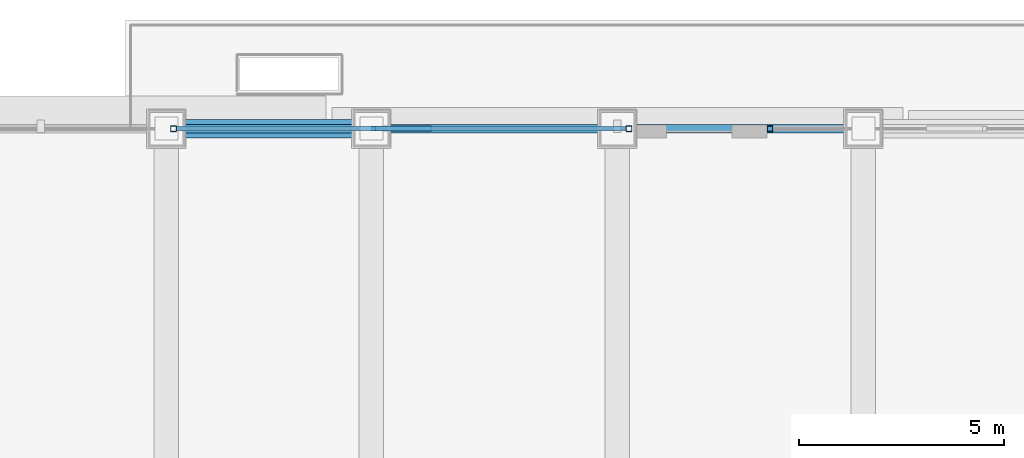
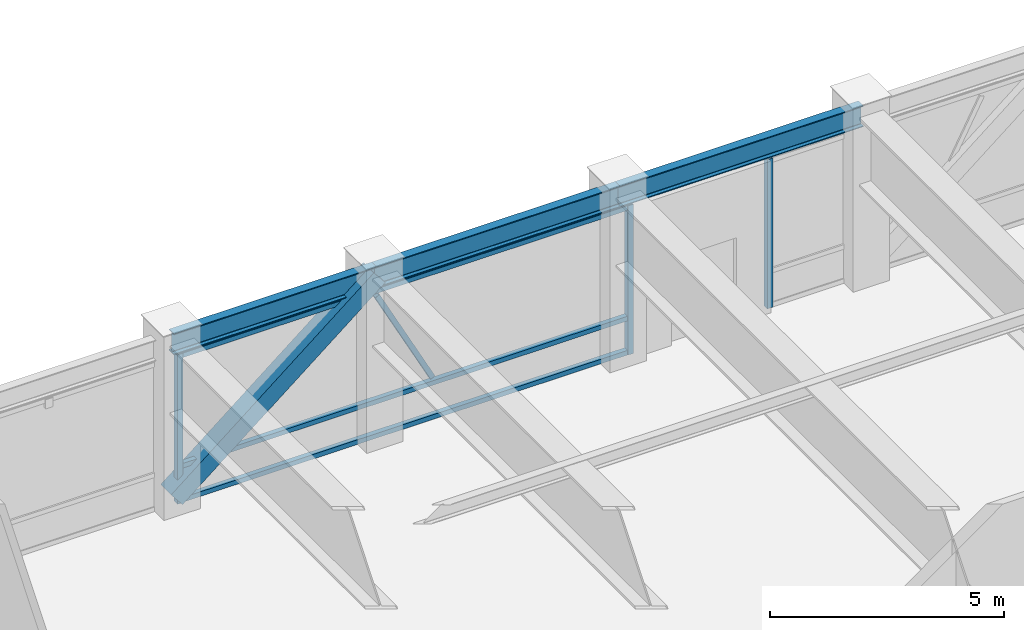
# One storey, part 17 of 31: 8 members, 3 beams, 2 elements without a shape of their own.
"""IFC4 building model written with IfcOpenShell, lengths in metres."""

from ifc_helpers import new_model, si_unit, direction, frame, origin, origin_2d, place, context, subcontext, project, spatial, hollow_rectangle, i_section, extrude, source, transform, mapped, material, material_profile, profile_set, type_object, element, aggregate, save


model = new_model("IFC4")

# Units and contexts
model_context = context("Model", 3, precision=1e-05, world=origin(), true_north=direction((0.0, 1.0)))
body_context = subcontext(model_context, "Body", "Model", "MODEL_VIEW")
ifc_project = project(units=[si_unit("LENGTHUNIT", "METRE"), si_unit("AREAUNIT", "SQUARE_METRE"), si_unit("VOLUMEUNIT", "CUBIC_METRE"), si_unit("PLANEANGLEUNIT", "RADIAN"), si_unit("MASSUNIT", "GRAM", prefix="KILO")], contexts=[model_context])

# Site, building, storey
site_placement = place(None, origin())
site = spatial("IfcSite", under=ifc_project, at=site_placement, CompositionType="ELEMENT")
building_placement = place(site_placement, origin())
building = spatial("IfcBuilding", under=site, at=building_placement, Name="Khorayat Bourse Tower", CompositionType="ELEMENT")
storey_placement = place(building_placement, frame((0.0, 0.0, 321.5)))
storey = spatial("IfcBuildingStorey", under=building, at=storey_placement, Name="L76", CompositionType="ELEMENT", Elevation=321.5)

# Beams
ifc_material_1 = material(Name="Steel ASTM A992 Grade 50", Category="steel")
ifc_material_profile_1 = material_profile(ifc_material_1, i_section(OverallWidth=0.214111328125, OverallDepth=0.549072265625, WebThickness=0.0146484375, FlangeThickness=0.023681640625, FilletRadius=0.013916015625, at=origin_2d()), Name="W530X138")
ifc_profile_set_1 = profile_set([ifc_material_profile_1], Name="Steel ASTM A992 Grade 50")
beam_type = type_object("IfcBeamType", Name="BM-SPAN-530", PredefinedType="SPANDREL", material=ifc_profile_set_1)
shared_shape_1 = source(origin(), body_context, "Body", "SweptSolid", [
    extrude(i_section(OverallWidth=0.214111328125, OverallDepth=0.549072265625, WebThickness=0.0146484375, FlangeThickness=0.023681640625, FilletRadius=0.013916015625, at=origin_2d()), origin(), (0.0, 0.0, 1.0), 5.0),
])
beam_placement = place(storey_placement, frame((-11.0, 28.0, 4.2255859375), z_axis=(1.0, 0.0, 0.0), x_axis=(0.0, 1.0, 0.0)))
element("IfcBeam", 1, at=beam_placement, inside=storey, type_object=beam_type, Name="L76 BM-SPAN-530 BM-L76-SPN-049", PredefinedType="SPANDREL", context=body_context, shape_type="MappedRepresentation", body=[
    mapped(shared_shape_1, transform((0.0, 0.0, 0.0), scale=1.0)),
])
shared_shape_2 = source(origin(), body_context, "Body", "SweptSolid", [
    extrude(i_section(OverallWidth=0.214111328125, OverallDepth=0.549072265625, WebThickness=0.0146484375, FlangeThickness=0.023681640625, FilletRadius=0.013916015625, at=origin_2d()), origin(), (0.0, 0.0, 1.0), 6.0),
])
for number, where, z_axis, x_axis, name in (
    (2, (0.0, 28.0, 4.2255859375), (1.0, 0.0, 0.0), (0.0, 1.0, 0.0), "L76 BM-SPAN-530 BM-L76-SPN-047"),
    (3, (-6.0, 28.0, 4.2255859375), (1.0, 0.0, 0.0), (0.0, 1.0, 0.0), "L76 BM-SPAN-530 BM-L76-SPN-048"),
):
    element("IfcBeam", number, at=place(storey_placement, frame(where, z_axis=z_axis, x_axis=x_axis)), inside=storey, type_object=beam_type, Name=name, PredefinedType="SPANDREL", context=body_context, shape_type="MappedRepresentation", body=[
        mapped(shared_shape_2, transform((0.0, 0.0, 0.0), scale=1.0)),
    ])

# Member
ifc_material_2 = material(Name="Steel EN 10025-4 S460M", Category="steel")
ifc_material_profile_2 = material_profile(ifc_material_2, hollow_rectangle(XDim=0.449951171875, YDim=0.449951171875, WallThickness=0.02490234375, at=origin_2d()), Name="HSS 450x450x25")
ifc_profile_set_2 = profile_set([ifc_material_profile_2], Name="Steel EN 10025-4 S460M")
member_type_1 = type_object("IfcMemberType", Name="MBR-TUBE-450", PredefinedType="BRACE", material=ifc_profile_set_2)
shared_shape_3 = source(origin(), body_context, "Body", "SweptSolid", [
    extrude(hollow_rectangle(XDim=0.449951171875, YDim=0.449951171875, WallThickness=0.02490234375, at=origin_2d()), origin(), (0.0, 0.0, 1.0), 6.42822265625),
])
member_1_placement = place(storey_placement, frame((-11.0, 28.0, 0.25), z_axis=(0.777821209127, 0.0, 0.628485613703), x_axis=(0.0, 1.0, 0.0)))
element("IfcMember", 4, at=member_1_placement, inside=storey, type_object=member_type_1, Name="L76 Perimeter Tube Brace 03", PredefinedType="BRACE", context=body_context, shape_type="MappedRepresentation", body=[
    mapped(shared_shape_3, transform((0.0, 0.0, 0.0), scale=1.0)),
])

# Curtain wall, members
ifc_material_3 = material(Name="Aluminium EN AW-6063 T6", Category="aluminium")
curtain_wall_type = type_object("IfcCurtainWallType", Name="CW-SYS-05", PredefinedType="NOTDEFINED", material=ifc_material_3)
curtain_wall_1_placement = place(storey_placement, origin())
curtain_wall_1 = element("IfcCurtainWall", 5, at=curtain_wall_1_placement, inside=storey, type_object=curtain_wall_type, Name="L76 Curtain Wall CW-L76-N1", PredefinedType="NOTDEFINED")
ifc_material_profile_3 = material_profile(ifc_material_3, hollow_rectangle(XDim=0.139892578125, YDim=0.139892578125, WallThickness=0.006103515625, at=origin_2d()), Name="ALU 140x140x6")
ifc_profile_set_3 = profile_set([ifc_material_profile_3], Name="Aluminium EN AW-6063 T6")
member_type_2 = type_object("IfcMemberType", Name="CWM-VERT-140", PredefinedType="MULLION", material=ifc_profile_set_3)
shared_shape_4 = source(origin(), body_context, "Body", "SweptSolid", [
    extrude(hollow_rectangle(XDim=0.139892578125, YDim=0.139892578125, WallThickness=0.006103515625, at=origin_2d()), origin(), (0.0, 0.0, 1.0), 3.889892578125),
])
member_2_placement = place(storey_placement, frame((-10.824951171875, 28.0, 0.0), z_axis=(0.0, 0.0, 1.0), x_axis=(0.0, 1.0, 0.0)))
member_2 = element("IfcMember", 6, at=member_2_placement, type_object=member_type_2, Name="CW-L76-N1 Vertical Mullion 2", PredefinedType="MULLION", context=body_context, shape_type="MappedRepresentation", body=[
    mapped(shared_shape_4, transform((0.0, 0.0, 0.0), scale=1.0)),
])
member_3_placement = place(storey_placement, frame((0.280029296875, 28.0, 0.0), z_axis=(0.0, 0.0, 1.0), x_axis=(0.0, 1.0, 0.0)))
member_3 = element("IfcMember", 7, at=member_3_placement, type_object=member_type_2, Name="CW-L76-N1 Vertical Mullion 3", PredefinedType="MULLION", context=body_context, shape_type="MappedRepresentation", body=[
    mapped(shared_shape_4, transform((0.0, 0.0, 0.0), scale=1.0)),
])

# Curtain wall, member
curtain_wall_2_placement = place(storey_placement, origin())
curtain_wall_2 = element("IfcCurtainWall", 8, at=curtain_wall_2_placement, inside=storey, type_object=curtain_wall_type, Name="L76 Curtain Wall CW-L76-N2", PredefinedType="NOTDEFINED")
member_4_placement = place(storey_placement, frame((3.719970703125, 28.0, 0.0), z_axis=(0.0, 0.0, 1.0), x_axis=(0.0, 1.0, 0.0)))
member_4 = element("IfcMember", 9, at=member_4_placement, type_object=member_type_2, Name="CW-L76-N2 Vertical Mullion 1", PredefinedType="MULLION", context=body_context, shape_type="MappedRepresentation", body=[
    mapped(shared_shape_4, transform((0.0, 0.0, 0.0), scale=1.0)),
])
aggregate(curtain_wall_2, [member_4])

# Member
ifc_material_profile_4 = material_profile(ifc_material_3, hollow_rectangle(XDim=0.1201171875, YDim=0.1201171875, WallThickness=0.0048828125, at=origin_2d()), Name="ALU 120x120x5")
ifc_profile_set_4 = profile_set([ifc_material_profile_4], Name="Aluminium EN AW-6063 T6")
member_type_3 = type_object("IfcMemberType", Name="CWM-DIAG-120", PredefinedType="MULLION", material=ifc_profile_set_4)
shared_shape_5 = source(origin(), body_context, "Body", "SweptSolid", [
    extrude(hollow_rectangle(XDim=0.1201171875, YDim=0.1201171875, WallThickness=0.0048828125, at=origin_2d()), origin(), (0.0, 0.0, 1.0), 2.93798828125),
])
member_5_placement = place(storey_placement, frame((-4.58837890625, 28.0, 1.090087890625), z_axis=(-0.465763557035, 0.0, 0.884909209432), x_axis=(0.0, -1.0, 0.0)))
member_5 = element("IfcMember", 10, at=member_5_placement, type_object=member_type_3, Name="CW-L76-N1 Faceted Diagonal Mullion 2", PredefinedType="MULLION", context=body_context, shape_type="MappedRepresentation", body=[
    mapped(shared_shape_5, transform((0.0, 0.0, 0.0), scale=1.0)),
])

ifc_material_profile_5 = material_profile(ifc_material_3, hollow_rectangle(XDim=0.1201171875, YDim=0.1201171875, WallThickness=0.0048828125, at=origin_2d()), Name="ALU 120x120x5")
ifc_profile_set_5 = profile_set([ifc_material_profile_5], Name="Aluminium EN AW-6063 T6")
member_type_4 = type_object("IfcMemberType", Name="CWT-HORZ-120", PredefinedType="USERDEFINED", material=ifc_profile_set_5)
shared_shape_6 = source(origin(), body_context, "Body", "SweptSolid", [
    extrude(hollow_rectangle(XDim=0.1201171875, YDim=0.1201171875, WallThickness=0.0048828125, at=origin_2d()), origin(), (0.0, 0.0, 1.0), 10.96484375),
])
member_6_placement = place(storey_placement, frame((-10.7548828125, 28.0, 0.06005859375), z_axis=(1.0, 0.0, 0.0), x_axis=(0.0, 1.0, 0.0)))
member_6 = element("IfcMember", 11, at=member_6_placement, type_object=member_type_4, Name="CW-L76-N1 Horizontal Transom 2-1", ObjectType="TRANSOM", PredefinedType="USERDEFINED", context=body_context, shape_type="MappedRepresentation", body=[
    mapped(shared_shape_6, transform((0.0, 0.0, 0.0), scale=1.0)),
])

member_7_placement = place(storey_placement, frame((-10.7548828125, 28.0, 0.949951171875), z_axis=(1.0, 0.0, 0.0), x_axis=(0.0, 1.0, 0.0)))
member_7 = element("IfcMember", 12, at=member_7_placement, type_object=member_type_4, Name="CW-L76-N1 Horizontal Transom 2-2", ObjectType="TRANSOM", PredefinedType="USERDEFINED", context=body_context, shape_type="MappedRepresentation", body=[
    mapped(shared_shape_6, transform((0.0, 0.0, 0.0), scale=1.0)),
])

member_8_placement = place(storey_placement, frame((-10.7548828125, 28.0, 3.830078125), z_axis=(1.0, 0.0, 0.0), x_axis=(0.0, 1.0, 0.0)))
member_8 = element("IfcMember", 13, at=member_8_placement, type_object=member_type_4, Name="CW-L76-N1 Horizontal Transom 2-3", ObjectType="TRANSOM", PredefinedType="USERDEFINED", context=body_context, shape_type="MappedRepresentation", body=[
    mapped(shared_shape_6, transform((0.0, 0.0, 0.0), scale=1.0)),
])

aggregate(curtain_wall_1, [member_2, member_3, member_6, member_7, member_8, member_5])

save(model, "model.ifc")
